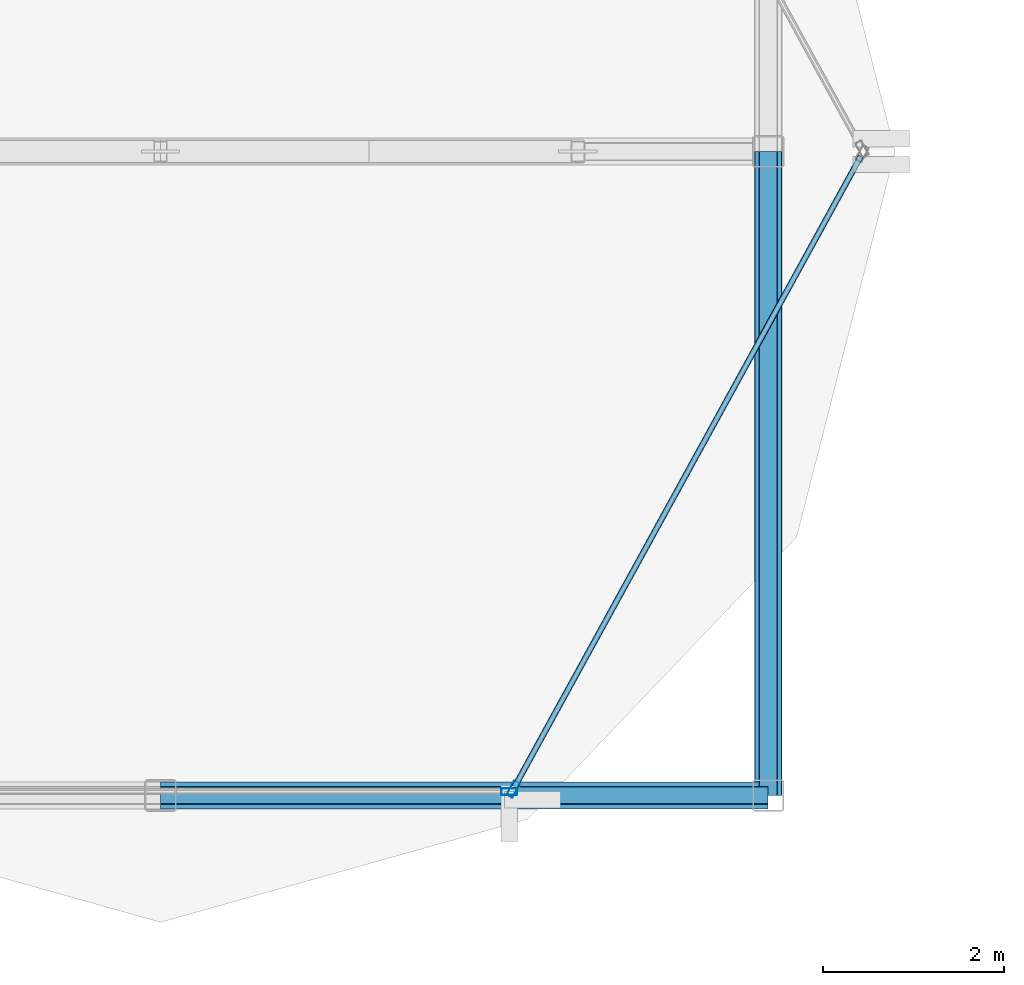
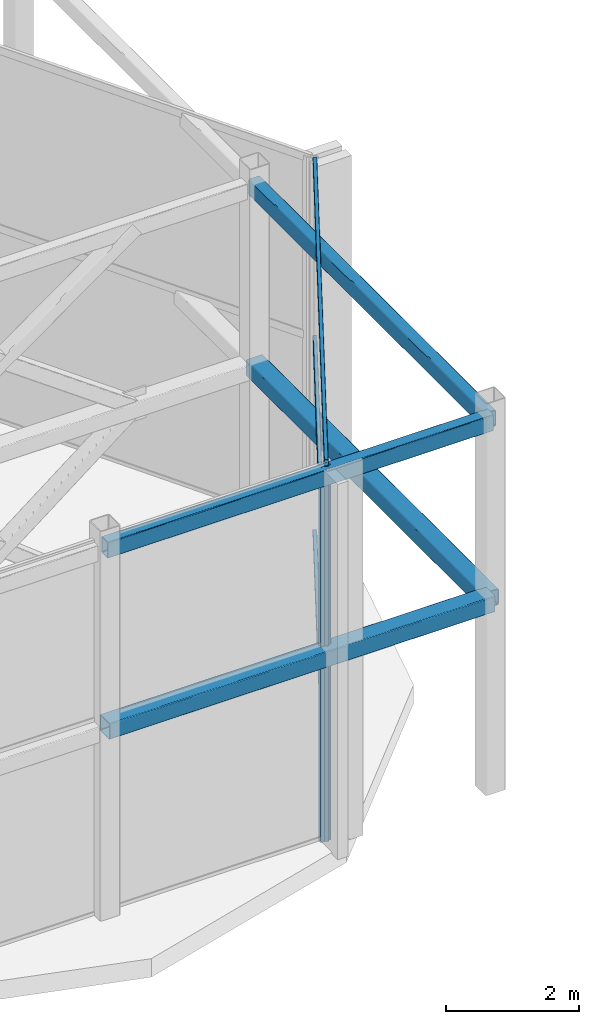
# One storey, part 3 of 8: 5 members, 4 beams, 2 elements without a shape of their own.
"""IFC4 building model written with IfcOpenShell, lengths in metres."""

from ifc_helpers import new_model, si_unit, direction, frame, origin, origin_2d, place, context, subcontext, project, spatial, hollow_rectangle, extrude, material, layer, layer_set, material_profile, profile_set, type_object, element, aggregate, save


model = new_model("IFC4")

# Units and contexts
model_context = context("Model", 3, precision=1e-05, world=origin(), true_north=direction((0.0, 1.0)))
body_context = subcontext(model_context, "Body", "Model", "MODEL_VIEW")
ifc_project = project(units=[si_unit("LENGTHUNIT", "METRE"), si_unit("AREAUNIT", "SQUARE_METRE"), si_unit("VOLUMEUNIT", "CUBIC_METRE"), si_unit("PLANEANGLEUNIT", "RADIAN"), si_unit("MASSUNIT", "GRAM", prefix="KILO")], contexts=[model_context])

# Site, building, storey
site_placement = place(None, origin())
site = spatial("IfcSite", under=ifc_project, at=site_placement, CompositionType="ELEMENT")
building_placement = place(site_placement, origin())
building = spatial("IfcBuilding", under=site, at=building_placement, Name="Solvaryn Broadcast Tower", CompositionType="ELEMENT")
storey_placement = place(building_placement, frame((0.0, 0.0, 322.199951171875)))
storey = spatial("IfcBuildingStorey", under=building, at=storey_placement, Name="Roof East", CompositionType="ELEMENT", Elevation=322.199951171875)

# Beams
ifc_material_1 = material(Name="Steel ASTM A500 Grade C", Category="steel")
ifc_material_profile_1 = material_profile(ifc_material_1, hollow_rectangle(XDim=0.199951171875, YDim=0.300048828125, WallThickness=0.011962890625, InnerFilletRadius=0.011962890625, OuterFilletRadius=0.02392578125, at=origin_2d()))
ifc_profile_set_1 = profile_set([ifc_material_profile_1], Name="Steel ASTM A500 Grade C")
beam_type_1 = type_object("IfcBeamType", Name="BM-CROWN-CAP", PredefinedType="BEAM", material=ifc_profile_set_1)
beam_1_placement = place(storey_placement, frame((17.89990234375, 28.199951171875, 6.75), z_axis=(1.0, 0.0, 0.0), x_axis=(0.0, 1.0, 0.0)))
element("IfcBeam", 1, at=beam_1_placement, inside=storey, type_object=beam_type_1, Name="Roof East CROWN FRAME Ring Beam WT2-2", PredefinedType="BEAM", context=body_context, shape_type="SweptSolid", body=[
    extrude(hollow_rectangle(XDim=0.199951171875, YDim=0.300048828125, WallThickness=0.011962890625, InnerFilletRadius=0.011962890625, OuterFilletRadius=0.02392578125, at=origin_2d()), origin(), (0.0, 0.0, 1.0), 6.7001953125),
])
beam_2_placement = place(storey_placement, frame((24.60009765625, 28.199951171875, 6.75), z_axis=(0.0, 1.0, 0.0), x_axis=(-1.0, 0.0, 0.0)))
element("IfcBeam", 2, at=beam_2_placement, inside=storey, type_object=beam_type_1, Name="Roof East CROWN FRAME Ring Beam WT2-3", PredefinedType="BEAM", context=body_context, shape_type="SweptSolid", body=[
    extrude(hollow_rectangle(XDim=0.199951171875, YDim=0.300048828125, WallThickness=0.011962890625, InnerFilletRadius=0.011962890625, OuterFilletRadius=0.02392578125, at=origin_2d()), origin(), (0.0, 0.0, 1.0), 7.10009765625),
])
ifc_material_2 = material(Name="Steel ASTM A500 Grade C", Category="steel")
ifc_material_profile_2 = material_profile(ifc_material_2, hollow_rectangle(XDim=0.300048828125, YDim=0.300048828125, WallThickness=0.01416015625, InnerFilletRadius=0.01416015625, OuterFilletRadius=0.0283203125, at=origin_2d()))
ifc_profile_set_2 = profile_set([ifc_material_profile_2], Name="Steel ASTM A500 Grade C")
beam_type_2 = type_object("IfcBeamType", Name="BM-CROWN-RING", PredefinedType="BEAM", material=ifc_profile_set_2)
beam_3_placement = place(storey_placement, frame((17.89990234375, 28.199951171875, 3.449951171875), z_axis=(1.0, 0.0, 0.0), x_axis=(0.0, 1.0, 0.0)))
element("IfcBeam", 3, at=beam_3_placement, inside=storey, type_object=beam_type_2, Name="Roof East CROWN FRAME Ring Beam WT1-2", PredefinedType="BEAM", context=body_context, shape_type="SweptSolid", body=[
    extrude(hollow_rectangle(XDim=0.300048828125, YDim=0.300048828125, WallThickness=0.01416015625, InnerFilletRadius=0.01416015625, OuterFilletRadius=0.0283203125, at=origin_2d()), origin(), (0.0, 0.0, 1.0), 6.7001953125),
])
beam_4_placement = place(storey_placement, frame((24.60009765625, 28.199951171875, 3.449951171875), z_axis=(0.0, 1.0, 0.0), x_axis=(-1.0, 0.0, 0.0)))
element("IfcBeam", 4, at=beam_4_placement, inside=storey, type_object=beam_type_2, Name="Roof East CROWN FRAME Ring Beam WT1-3", PredefinedType="BEAM", context=body_context, shape_type="SweptSolid", body=[
    extrude(hollow_rectangle(XDim=0.300048828125, YDim=0.300048828125, WallThickness=0.01416015625, InnerFilletRadius=0.01416015625, OuterFilletRadius=0.0283203125, at=origin_2d()), origin(), (0.0, 0.0, 1.0), 7.10009765625),
])

# Curtain wall, member
ifc_material_3 = material(Name="Aluminium and Terracotta Unitised Curtain Wall", Category="masonry")
ifc_layer = layer(ifc_material_3, 0.2099609375)
ifc_layer_set = layer_set([ifc_layer], Name="CW-SYS6-CROWN")
curtain_wall_type = type_object("IfcCurtainWallType", Name="CW-SYS6-CROWN", PredefinedType="NOTDEFINED", material=ifc_layer_set)
curtain_wall_1_placement = place(storey_placement, origin())
curtain_wall_1 = element("IfcCurtainWall", 5, at=curtain_wall_1_placement, inside=storey, type_object=curtain_wall_type, Name="Roof East Split-Top Crown Curtain Wall W5", PredefinedType="NOTDEFINED")
ifc_material_4 = material(Name="Anodised Aluminium 6063-T6", Category="aluminium")
ifc_material_profile_3 = material_profile(ifc_material_4, hollow_rectangle(XDim=0.074951171875, YDim=0.179931640625, WallThickness=0.00390625, InnerFilletRadius=0.00390625, OuterFilletRadius=0.008056640625, at=origin_2d()))
ifc_profile_set_3 = profile_set([ifc_material_profile_3], Name="Anodised Aluminium 6063-T6")
member_type_1 = type_object("IfcMemberType", Name="CW-MUL-180", PredefinedType="MULLION", material=ifc_profile_set_3)
member_1_placement = place(storey_placement, frame((21.7451171875, 28.241943359375, 0.0), z_axis=(0.0, 0.0, 1.0), x_axis=(0.0, 1.0, 0.0)))
member_1 = element("IfcMember", 6, at=member_1_placement, type_object=member_type_1, Name="CWS6 mullion 2", PredefinedType="MULLION", context=body_context, shape_type="SweptSolid", body=[
    extrude(hollow_rectangle(XDim=0.074951171875, YDim=0.179931640625, WallThickness=0.00390625, InnerFilletRadius=0.00390625, OuterFilletRadius=0.008056640625, at=origin_2d()), origin(), (0.0, 0.0, 1.0), 6.900146484375),
])
aggregate(curtain_wall_1, [member_1])

# Curtain wall, members
curtain_wall_2_placement = place(storey_placement, origin())
curtain_wall_2 = element("IfcCurtainWall", 7, at=curtain_wall_2_placement, inside=storey, type_object=curtain_wall_type, Name="Roof East Split-Top Crown Curtain Wall W6", PredefinedType="NOTDEFINED")
member_2_placement = place(storey_placement, frame((21.78955078125, 28.268310546875, 0.0), z_axis=(0.0, 0.0, 1.0), x_axis=(-0.876577523452, 0.481260683391, 0.0)))
member_2 = element("IfcMember", 8, at=member_2_placement, type_object=member_type_1, Name="CWS6 mullion 1", PredefinedType="MULLION", context=body_context, shape_type="SweptSolid", body=[
    extrude(hollow_rectangle(XDim=0.074951171875, YDim=0.179931640625, WallThickness=0.00390625, InnerFilletRadius=0.00390625, OuterFilletRadius=0.008056640625, at=origin_2d()), origin(), (0.0, 0.0, 1.0), 6.900146484375),
])
ifc_material_5 = material(Name="Anodised Aluminium 6063-T6", Category="aluminium")
ifc_material_profile_4 = material_profile(ifc_material_5, hollow_rectangle(XDim=0.06494140625, YDim=0.14990234375, WallThickness=0.00390625, InnerFilletRadius=0.00390625, OuterFilletRadius=0.008056640625, at=origin_2d()))
ifc_profile_set_4 = profile_set([ifc_material_profile_4], Name="Anodised Aluminium 6063-T6")
member_type_2 = type_object("IfcMemberType", Name="CW-TRN-150", PredefinedType="USERDEFINED", material=ifc_profile_set_4)
member_3_placement = place(storey_placement, frame((21.803955078125, 28.294677734375, 0.030029296875), z_axis=(0.481259275952, 0.876578296166, 0.0), x_axis=(-0.876578296166, 0.481259275952, 0.0)))
member_3 = element("IfcMember", 9, at=member_3_placement, type_object=member_type_2, Name="CWS6 transom 1.1", ObjectType="TRANSOM", PredefinedType="USERDEFINED", context=body_context, shape_type="SweptSolid", body=[
    extrude(hollow_rectangle(XDim=0.06494140625, YDim=0.14990234375, WallThickness=0.00390625, InnerFilletRadius=0.00390625, OuterFilletRadius=0.008056640625, at=origin_2d()), origin(), (0.0, 0.0, 1.0), 7.931640625),
])
member_4_placement = place(storey_placement, frame((21.803955078125, 28.294677734375, 3.60009765625), z_axis=(0.481259275952, 0.876578296166, 0.0), x_axis=(-0.876578296166, 0.481259275952, 0.0)))
member_4 = element("IfcMember", 10, at=member_4_placement, type_object=member_type_2, Name="CWS6 transom 1.2", ObjectType="TRANSOM", PredefinedType="USERDEFINED", context=body_context, shape_type="SweptSolid", body=[
    extrude(hollow_rectangle(XDim=0.06494140625, YDim=0.14990234375, WallThickness=0.00390625, InnerFilletRadius=0.00390625, OuterFilletRadius=0.008056640625, at=origin_2d()), origin(), (0.0, 0.0, 1.0), 7.931640625),
])
member_5_placement = place(storey_placement, frame((21.803955078125, 28.294677734375, 6.8701171875), z_axis=(0.481259275952, 0.876578296166, 0.0), x_axis=(-0.876578296166, 0.481259275952, 0.0)))
member_5 = element("IfcMember", 11, at=member_5_placement, type_object=member_type_2, Name="CWS6 transom 1.3", ObjectType="TRANSOM", PredefinedType="USERDEFINED", context=body_context, shape_type="SweptSolid", body=[
    extrude(hollow_rectangle(XDim=0.06494140625, YDim=0.14990234375, WallThickness=0.00390625, InnerFilletRadius=0.00390625, OuterFilletRadius=0.008056640625, at=origin_2d()), origin(), (0.0, 0.0, 1.0), 7.931640625),
])
aggregate(curtain_wall_2, [member_2, member_3, member_4, member_5])

save(model, "model.ifc")
